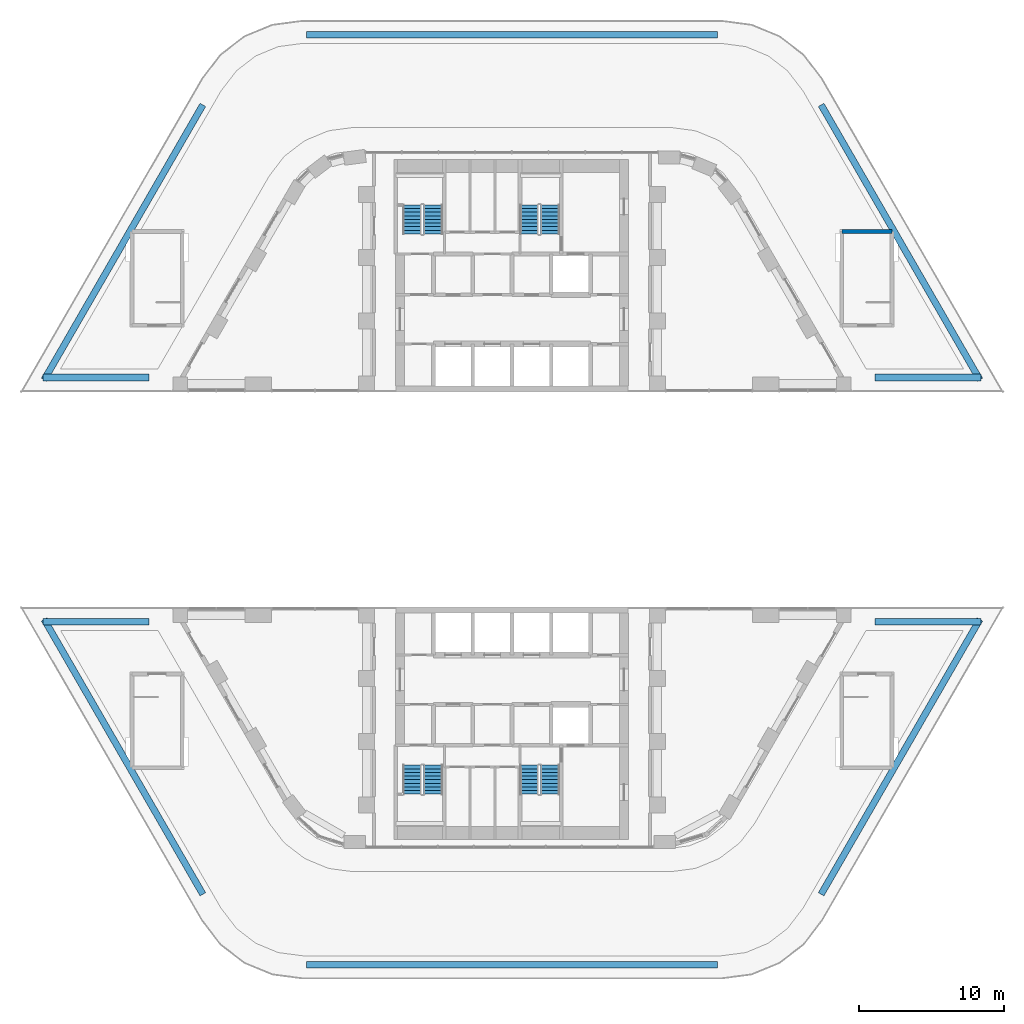
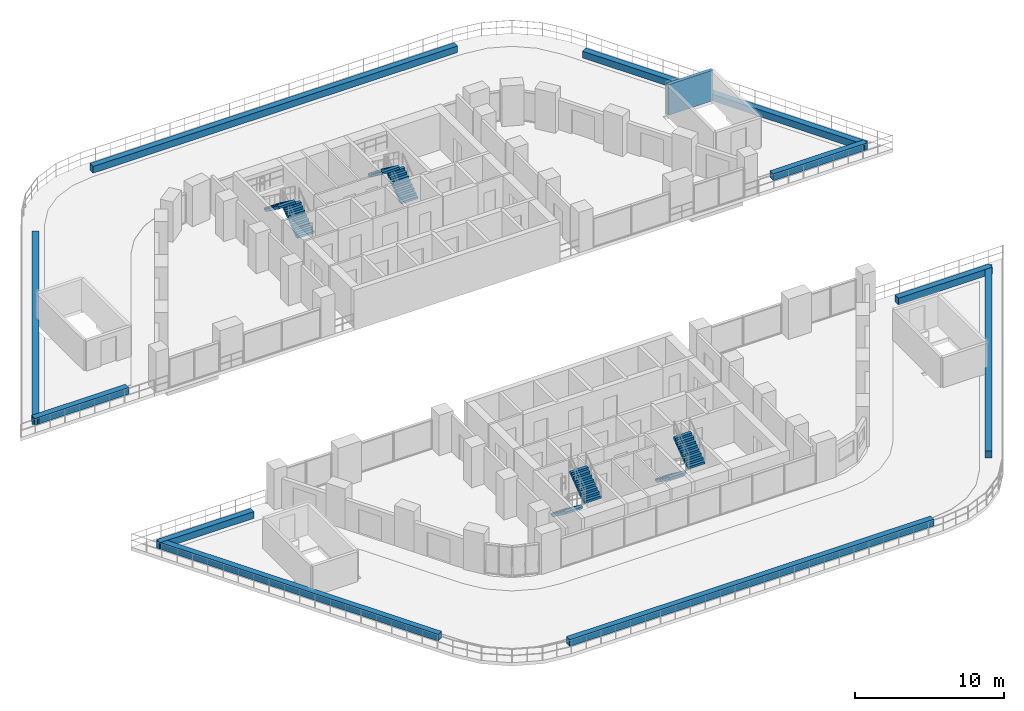
# One storey, part 15 of 24: 10 discrete accessories, 8 stair flights, 1 wall, 4 elements without a shape of their own.
"""IFC4 building model written with IfcOpenShell, lengths in metres."""

from ifc_helpers import new_model, si_unit, direction, frame, frame_2d, origin, origin_2d, place, context, subcontext, project, spatial, polyline, rectangle, outline, extrude, material, layer, layer_set, type_object, element, aggregate, save


model = new_model("IFC4")

# Units and contexts
model_context = context("Model", 3, precision=1e-05, world=origin(), true_north=direction((0.0, 1.0)))
body_context = subcontext(model_context, "Body", "Model", "MODEL_VIEW")
ifc_project = project(units=[si_unit("LENGTHUNIT", "METRE"), si_unit("AREAUNIT", "SQUARE_METRE"), si_unit("VOLUMEUNIT", "CUBIC_METRE"), si_unit("PLANEANGLEUNIT", "RADIAN"), si_unit("MASSUNIT", "GRAM", prefix="KILO")], contexts=[model_context])

# Site, building, storey
site_placement = place(None, origin())
site = spatial("IfcSite", under=ifc_project, at=site_placement, CompositionType="ELEMENT")
building_placement = place(site_placement, origin())
building = spatial("IfcBuilding", under=site, at=building_placement, Name="Nakaniwa Court", CompositionType="ELEMENT")
storey_placement = place(building_placement, frame((0.0, 0.0, 28.199951171875)))
storey = spatial("IfcBuildingStorey", under=building, at=storey_placement, Name="L06", CompositionType="ELEMENT", Elevation=28.199951171875)

# Wall
ifc_material_1 = material(Name="Concrete C100/115", Category="concrete")
ifc_layer = layer(ifc_material_1, 0.25)
ifc_layer_set = layer_set([ifc_layer], Name="Concrete C100/115")
wall_type = type_object("IfcWallType", Name="Concrete shaft wall 250 C100 external", PredefinedType="SHEAR", material=ifc_layer_set)
wall_placement = place(storey_placement, frame((106.14990234375, 98.449951171875, 0.0), z_axis=(0.0, 0.0, 1.0), x_axis=(-1.0, 0.0, 0.0)))
element("IfcWall", 1, at=wall_placement, inside=storey, type_object=wall_type, Name="Stair head house wall SW-90", PredefinedType="SHEAR", context=body_context, shape_type="SweptSolid", body=[
    extrude(rectangle(XDim=3.449951171875, YDim=0.25, at=frame_2d((1.72509765625, 0.0))), origin(), (0.0, 0.0, 1.0), 2.5),
])

# Stair, stair flights
ifc_material_2 = material(Name="Concrete C80/100", Category="concrete")
stair_type = type_object("IfcStairType", Name="Dog leg stair 1300 wide 18 risers", PredefinedType="HALF_TURN_STAIR", material=ifc_material_2)
stair_1_placement = place(storey_placement, origin())
stair_1 = element("IfcStair", 2, at=stair_1_placement, inside=storey, type_object=stair_type, Name="L06 Stair ST1", PredefinedType="HALF_TURN_STAIR")
stair_flight_type = type_object("IfcStairFlightType", Name="Stair flight 1300 wide 9 risers", PredefinedType="STRAIGHT", material=ifc_material_2)
stair_flight_1_placement = place(storey_placement, frame((74.574951171875, 98.27490234375, 0.0), z_axis=(0.0, 0.0, 1.0), x_axis=(0.0, 1.0, 0.0)))
stair_flight_1 = element("IfcStairFlight", 3, at=stair_flight_1_placement, type_object=stair_flight_type, Name="ST1 flight 1", NumberOfRisers=9, NumberOfTreads=8, PredefinedType="STRAIGHT", RiserHeight=0.183333333, TreadLength=0.25, context=body_context, shape_type="SweptSolid", body=[
    extrude(outline(polyline([(0.0, 0.0), (0.0, 0.026123046875), (0.0, 0.052490234375), (0.0, 0.07861328125), (0.0, 0.104736328125), (0.0, 0.130859375), (0.0, 0.1572265625), (0.0, 0.183349609375), (0.25, 0.183349609375), (0.25, 0.36669921875), (0.5, 0.36669921875), (0.5, 0.550048828125), (0.75, 0.550048828125), (0.75, 0.7333984375), (1.0, 0.7333984375), (1.0, 0.916748046875), (1.25, 0.916748046875), (1.25, 1.10009765625), (1.5, 1.10009765625), (1.5, 1.283447265625), (1.75, 1.283447265625), (1.75, 1.466552734375), (2.0, 1.466552734375), (2.0, 1.64990234375), (2.0, 1.59716796875), (2.0, 1.54443359375), (2.0, 1.49169921875), (2.0, 1.43896484375), (2.0, 1.38623046875), (2.0, 1.33349609375), (2.0, 1.28076171875), (0.25341796875, 0.0), (0.0, 0.0)])), frame((0.0, 0.64990234375, 0.0), z_axis=(0.0, -1.0, 0.0), x_axis=(1.0, 0.0, 0.0)), (0.0, 0.0, 1.0), 1.300048828125),
])
stair_flight_2_placement = place(storey_placement, frame((73.125, 100.27490234375, 1.650146484375), z_axis=(0.0, 0.0, 1.0), x_axis=(0.0, -1.0, 0.0)))
stair_flight_2 = element("IfcStairFlight", 4, at=stair_flight_2_placement, type_object=stair_flight_type, Name="ST1 flight 2", NumberOfRisers=9, NumberOfTreads=8, PredefinedType="STRAIGHT", RiserHeight=0.183333333, TreadLength=0.25, context=body_context, shape_type="SweptSolid", body=[
    extrude(outline(polyline([(0.0, 0.0), (0.0, 0.026123046875), (0.0, 0.052490234375), (0.0, 0.07861328125), (0.0, 0.104736328125), (0.0, 0.130859375), (0.0, 0.1572265625), (0.0, 0.183349609375), (0.25, 0.183349609375), (0.25, 0.36669921875), (0.5, 0.36669921875), (0.5, 0.550048828125), (0.75, 0.550048828125), (0.75, 0.7333984375), (1.0, 0.7333984375), (1.0, 0.916748046875), (1.25, 0.916748046875), (1.25, 1.10009765625), (1.5, 1.10009765625), (1.5, 1.283447265625), (1.75, 1.283447265625), (1.75, 1.466552734375), (2.0, 1.466552734375), (2.0, 1.64990234375), (2.0, 1.59716796875), (2.0, 1.54443359375), (2.0, 1.49169921875), (2.0, 1.43896484375), (2.0, 1.38623046875), (2.0, 1.33349609375), (2.0, 1.28076171875), (0.25341796875, 0.0), (0.0, 0.0)])), frame((0.0, 0.64990234375, 0.0), z_axis=(0.0, -1.0, 0.0), x_axis=(1.0, 0.0, 0.0)), (0.0, 0.0, 1.0), 1.300048828125),
])
aggregate(stair_1, [stair_flight_1, stair_flight_2])

stair_2_placement = place(storey_placement, origin())
stair_2 = element("IfcStair", 5, at=stair_2_placement, inside=storey, type_object=stair_type, Name="L06 Stair ST2", PredefinedType="HALF_TURN_STAIR")
stair_flight_3_placement = place(storey_placement, frame((82.625, 98.27490234375, 0.0), z_axis=(0.0, 0.0, 1.0), x_axis=(0.0, 1.0, 0.0)))
stair_flight_3 = element("IfcStairFlight", 6, at=stair_flight_3_placement, type_object=stair_flight_type, Name="ST2 flight 1", NumberOfRisers=9, NumberOfTreads=8, PredefinedType="STRAIGHT", RiserHeight=0.183333333, TreadLength=0.25, context=body_context, shape_type="SweptSolid", body=[
    extrude(outline(polyline([(0.0, 0.0), (0.0, 0.026123046875), (0.0, 0.052490234375), (0.0, 0.07861328125), (0.0, 0.104736328125), (0.0, 0.130859375), (0.0, 0.1572265625), (0.0, 0.183349609375), (0.25, 0.183349609375), (0.25, 0.36669921875), (0.5, 0.36669921875), (0.5, 0.550048828125), (0.75, 0.550048828125), (0.75, 0.7333984375), (1.0, 0.7333984375), (1.0, 0.916748046875), (1.25, 0.916748046875), (1.25, 1.10009765625), (1.5, 1.10009765625), (1.5, 1.283447265625), (1.75, 1.283447265625), (1.75, 1.466552734375), (2.0, 1.466552734375), (2.0, 1.64990234375), (2.0, 1.59716796875), (2.0, 1.54443359375), (2.0, 1.49169921875), (2.0, 1.43896484375), (2.0, 1.38623046875), (2.0, 1.33349609375), (2.0, 1.28076171875), (0.25341796875, 0.0), (0.0, 0.0)])), frame((0.0, 0.64990234375, 0.0), z_axis=(0.0, -1.0, 0.0), x_axis=(1.0, 0.0, 0.0)), (0.0, 0.0, 1.0), 1.300048828125),
])
stair_flight_4_placement = place(storey_placement, frame((81.175048828125, 100.27490234375, 1.650146484375), z_axis=(0.0, 0.0, 1.0), x_axis=(0.0, -1.0, 0.0)))
stair_flight_4 = element("IfcStairFlight", 7, at=stair_flight_4_placement, type_object=stair_flight_type, Name="ST2 flight 2", NumberOfRisers=9, NumberOfTreads=8, PredefinedType="STRAIGHT", RiserHeight=0.183333333, TreadLength=0.25, context=body_context, shape_type="SweptSolid", body=[
    extrude(outline(polyline([(0.0, 0.0), (0.0, 0.026123046875), (0.0, 0.052490234375), (0.0, 0.07861328125), (0.0, 0.104736328125), (0.0, 0.130859375), (0.0, 0.1572265625), (0.0, 0.183349609375), (0.25, 0.183349609375), (0.25, 0.36669921875), (0.5, 0.36669921875), (0.5, 0.550048828125), (0.75, 0.550048828125), (0.75, 0.7333984375), (1.0, 0.7333984375), (1.0, 0.916748046875), (1.25, 0.916748046875), (1.25, 1.10009765625), (1.5, 1.10009765625), (1.5, 1.283447265625), (1.75, 1.283447265625), (1.75, 1.466552734375), (2.0, 1.466552734375), (2.0, 1.64990234375), (2.0, 1.59716796875), (2.0, 1.54443359375), (2.0, 1.49169921875), (2.0, 1.43896484375), (2.0, 1.38623046875), (2.0, 1.33349609375), (2.0, 1.28076171875), (0.25341796875, 0.0), (0.0, 0.0)])), frame((0.0, 0.64990234375, 0.0), z_axis=(0.0, -1.0, 0.0), x_axis=(1.0, 0.0, 0.0)), (0.0, 0.0, 1.0), 1.300048828125),
])
aggregate(stair_2, [stair_flight_3, stair_flight_4])

stair_3_placement = place(storey_placement, origin())
stair_3 = element("IfcStair", 8, at=stair_3_placement, inside=storey, type_object=stair_type, Name="L06 Stair ST3", PredefinedType="HALF_TURN_STAIR")
stair_flight_5_placement = place(storey_placement, frame((73.125, 61.72509765625, 0.0), z_axis=(0.0, 0.0, 1.0), x_axis=(0.0, -1.0, 0.0)))
stair_flight_5 = element("IfcStairFlight", 9, at=stair_flight_5_placement, type_object=stair_flight_type, Name="ST3 flight 1", NumberOfRisers=9, NumberOfTreads=8, PredefinedType="STRAIGHT", RiserHeight=0.183333333, TreadLength=0.25, context=body_context, shape_type="SweptSolid", body=[
    extrude(outline(polyline([(0.0, 0.0), (0.0, 0.026123046875), (0.0, 0.052490234375), (0.0, 0.07861328125), (0.0, 0.104736328125), (0.0, 0.130859375), (0.0, 0.1572265625), (0.0, 0.183349609375), (0.25, 0.183349609375), (0.25, 0.36669921875), (0.5, 0.36669921875), (0.5, 0.550048828125), (0.75, 0.550048828125), (0.75, 0.7333984375), (1.0, 0.7333984375), (1.0, 0.916748046875), (1.25, 0.916748046875), (1.25, 1.10009765625), (1.5, 1.10009765625), (1.5, 1.283447265625), (1.75, 1.283447265625), (1.75, 1.466552734375), (2.0, 1.466552734375), (2.0, 1.64990234375), (2.0, 1.59716796875), (2.0, 1.54443359375), (2.0, 1.49169921875), (2.0, 1.43896484375), (2.0, 1.38623046875), (2.0, 1.33349609375), (2.0, 1.28076171875), (0.25341796875, 0.0), (0.0, 0.0)])), frame((0.0, 0.64990234375, 0.0), z_axis=(0.0, -1.0, 0.0), x_axis=(1.0, 0.0, 0.0)), (0.0, 0.0, 1.0), 1.300048828125),
])
stair_flight_6_placement = place(storey_placement, frame((74.574951171875, 59.72509765625, 1.650146484375), z_axis=(0.0, 0.0, 1.0), x_axis=(0.0, 1.0, 0.0)))
stair_flight_6 = element("IfcStairFlight", 10, at=stair_flight_6_placement, type_object=stair_flight_type, Name="ST3 flight 2", NumberOfRisers=9, NumberOfTreads=8, PredefinedType="STRAIGHT", RiserHeight=0.183333333, TreadLength=0.25, context=body_context, shape_type="SweptSolid", body=[
    extrude(outline(polyline([(0.0, 0.0), (0.0, 0.026123046875), (0.0, 0.052490234375), (0.0, 0.07861328125), (0.0, 0.104736328125), (0.0, 0.130859375), (0.0, 0.1572265625), (0.0, 0.183349609375), (0.25, 0.183349609375), (0.25, 0.36669921875), (0.5, 0.36669921875), (0.5, 0.550048828125), (0.75, 0.550048828125), (0.75, 0.7333984375), (1.0, 0.7333984375), (1.0, 0.916748046875), (1.25, 0.916748046875), (1.25, 1.10009765625), (1.5, 1.10009765625), (1.5, 1.283447265625), (1.75, 1.283447265625), (1.75, 1.466552734375), (2.0, 1.466552734375), (2.0, 1.64990234375), (2.0, 1.59716796875), (2.0, 1.54443359375), (2.0, 1.49169921875), (2.0, 1.43896484375), (2.0, 1.38623046875), (2.0, 1.33349609375), (2.0, 1.28076171875), (0.25341796875, 0.0), (0.0, 0.0)])), frame((0.0, 0.64990234375, 0.0), z_axis=(0.0, -1.0, 0.0), x_axis=(1.0, 0.0, 0.0)), (0.0, 0.0, 1.0), 1.300048828125),
])
aggregate(stair_3, [stair_flight_5, stair_flight_6])

stair_4_placement = place(storey_placement, origin())
stair_4 = element("IfcStair", 11, at=stair_4_placement, inside=storey, type_object=stair_type, Name="L06 Stair ST4", PredefinedType="HALF_TURN_STAIR")
stair_flight_7_placement = place(storey_placement, frame((81.175048828125, 61.72509765625, 0.0), z_axis=(0.0, 0.0, 1.0), x_axis=(0.0, -1.0, 0.0)))
stair_flight_7 = element("IfcStairFlight", 12, at=stair_flight_7_placement, type_object=stair_flight_type, Name="ST4 flight 1", NumberOfRisers=9, NumberOfTreads=8, PredefinedType="STRAIGHT", RiserHeight=0.183333333, TreadLength=0.25, context=body_context, shape_type="SweptSolid", body=[
    extrude(outline(polyline([(0.0, 0.0), (0.0, 0.026123046875), (0.0, 0.052490234375), (0.0, 0.07861328125), (0.0, 0.104736328125), (0.0, 0.130859375), (0.0, 0.1572265625), (0.0, 0.183349609375), (0.25, 0.183349609375), (0.25, 0.36669921875), (0.5, 0.36669921875), (0.5, 0.550048828125), (0.75, 0.550048828125), (0.75, 0.7333984375), (1.0, 0.7333984375), (1.0, 0.916748046875), (1.25, 0.916748046875), (1.25, 1.10009765625), (1.5, 1.10009765625), (1.5, 1.283447265625), (1.75, 1.283447265625), (1.75, 1.466552734375), (2.0, 1.466552734375), (2.0, 1.64990234375), (2.0, 1.59716796875), (2.0, 1.54443359375), (2.0, 1.49169921875), (2.0, 1.43896484375), (2.0, 1.38623046875), (2.0, 1.33349609375), (2.0, 1.28076171875), (0.25341796875, 0.0), (0.0, 0.0)])), frame((0.0, 0.64990234375, 0.0), z_axis=(0.0, -1.0, 0.0), x_axis=(1.0, 0.0, 0.0)), (0.0, 0.0, 1.0), 1.300048828125),
])
stair_flight_8_placement = place(storey_placement, frame((82.625, 59.72509765625, 1.650146484375), z_axis=(0.0, 0.0, 1.0), x_axis=(0.0, 1.0, 0.0)))
stair_flight_8 = element("IfcStairFlight", 13, at=stair_flight_8_placement, type_object=stair_flight_type, Name="ST4 flight 2", NumberOfRisers=9, NumberOfTreads=8, PredefinedType="STRAIGHT", RiserHeight=0.183333333, TreadLength=0.25, context=body_context, shape_type="SweptSolid", body=[
    extrude(outline(polyline([(0.0, 0.0), (0.0, 0.026123046875), (0.0, 0.052490234375), (0.0, 0.07861328125), (0.0, 0.104736328125), (0.0, 0.130859375), (0.0, 0.1572265625), (0.0, 0.183349609375), (0.25, 0.183349609375), (0.25, 0.36669921875), (0.5, 0.36669921875), (0.5, 0.550048828125), (0.75, 0.550048828125), (0.75, 0.7333984375), (1.0, 0.7333984375), (1.0, 0.916748046875), (1.25, 0.916748046875), (1.25, 1.10009765625), (1.5, 1.10009765625), (1.5, 1.283447265625), (1.75, 1.283447265625), (1.75, 1.466552734375), (2.0, 1.466552734375), (2.0, 1.64990234375), (2.0, 1.59716796875), (2.0, 1.54443359375), (2.0, 1.49169921875), (2.0, 1.43896484375), (2.0, 1.38623046875), (2.0, 1.33349609375), (2.0, 1.28076171875), (0.25341796875, 0.0), (0.0, 0.0)])), frame((0.0, 0.64990234375, 0.0), z_axis=(0.0, -1.0, 0.0), x_axis=(1.0, 0.0, 0.0)), (0.0, 0.0, 1.0), 1.300048828125),
])
aggregate(stair_4, [stair_flight_7, stair_flight_8])

# Discrete accessories
ifc_material_3 = material(Name="Precast concrete C40/50 planter with planted soil", Category="concrete")
discrete_accessory_type = type_object("IfcDiscreteAccessoryType", Name="Planter box charcoal concrete", PredefinedType="USERDEFINED", material=ifc_material_3)
discrete_accessory_1_placement = place(storey_placement, frame((106.7314453125, 62.300048828125, 0.0), z_axis=(0.0, 0.0, 1.0), x_axis=(0.4999984885, 0.866026276448, 0.0)))
element("IfcDiscreteAccessory", 14, at=discrete_accessory_1_placement, inside=storey, type_object=discrete_accessory_type, Name="L06 play deck 1 PLANTER 1", ObjectType="PLANTER", PredefinedType="USERDEFINED", context=body_context, shape_type="SweptSolid", body=[
    extrude(rectangle(XDim=21.841552734375, YDim=0.449951171875, at=origin_2d()), origin(), (0.0, 0.0, 1.0), 0.550048828125),
])
for number, where, z_axis, x_axis, name in (
    (15, (108.636474609375, 71.60009765625, 0.0), (0.0, 0.0, 1.0), (-1.0, 0.0, 0.0), "L06 play deck 1 PLANTER 2"),
    (16, (51.363525390625, 71.60009765625, 0.0), (0.0, 0.0, 1.0), (-1.0, 0.0, 0.0), "L06 play deck 1 PLANTER 3"),
):
    element("IfcDiscreteAccessory", number, at=place(storey_placement, frame(where, z_axis=z_axis, x_axis=x_axis)), inside=storey, type_object=discrete_accessory_type, Name=name, ObjectType="PLANTER", PredefinedType="USERDEFINED", context=body_context, shape_type="SweptSolid", body=[
        extrude(rectangle(XDim=7.292236328125, YDim=0.449951171875, at=origin_2d()), origin(), (0.0, 0.0, 1.0), 0.550048828125),
    ])
discrete_accessory_2_placement = place(storey_placement, frame((53.2685546875, 62.300048828125, 0.0), z_axis=(0.0, 0.0, 1.0), x_axis=(0.4999984885, -0.866026276448, 0.0)))
element("IfcDiscreteAccessory", 17, at=discrete_accessory_2_placement, inside=storey, type_object=discrete_accessory_type, Name="L06 play deck 1 PLANTER 4", ObjectType="PLANTER", PredefinedType="USERDEFINED", context=body_context, shape_type="SweptSolid", body=[
    extrude(rectangle(XDim=21.841552734375, YDim=0.449951171875, at=origin_2d()), origin(), (0.0, 0.0, 1.0), 0.550048828125),
])
discrete_accessory_3_placement = place(storey_placement, frame((80.0, 48.0, 0.0), z_axis=(0.0, 0.0, 1.0), x_axis=(1.0, 0.0, 0.0)))
element("IfcDiscreteAccessory", 18, at=discrete_accessory_3_placement, inside=storey, type_object=discrete_accessory_type, Name="L06 play deck 1 PLANTER 9", ObjectType="PLANTER", PredefinedType="USERDEFINED", context=body_context, shape_type="SweptSolid", body=[
    extrude(rectangle(XDim=28.267578125, YDim=0.449951171875, at=origin_2d()), origin(), (0.0, 0.0, 1.0), 0.550048828125),
])
discrete_accessory_4_placement = place(storey_placement, frame((53.2685546875, 97.699951171875, 0.0), z_axis=(0.0, 0.0, 1.0), x_axis=(-0.4999984885, -0.866026276448, 0.0)))
element("IfcDiscreteAccessory", 19, at=discrete_accessory_4_placement, inside=storey, type_object=discrete_accessory_type, Name="L06 play deck 2 PLANTER 1", ObjectType="PLANTER", PredefinedType="USERDEFINED", context=body_context, shape_type="SweptSolid", body=[
    extrude(rectangle(XDim=21.841552734375, YDim=0.449951171875, at=origin_2d()), origin(), (0.0, 0.0, 1.0), 0.550048828125),
])
for number, where, z_axis, x_axis, name in (
    (20, (51.363525390625, 88.39990234375, 0.0), (0.0, 0.0, 1.0), (1.0, 0.0, 0.0), "L06 play deck 2 PLANTER 2"),
    (21, (108.636474609375, 88.39990234375, 0.0), (0.0, 0.0, 1.0), (1.0, 0.0, 0.0), "L06 play deck 2 PLANTER 3"),
):
    element("IfcDiscreteAccessory", number, at=place(storey_placement, frame(where, z_axis=z_axis, x_axis=x_axis)), inside=storey, type_object=discrete_accessory_type, Name=name, ObjectType="PLANTER", PredefinedType="USERDEFINED", context=body_context, shape_type="SweptSolid", body=[
        extrude(rectangle(XDim=7.292236328125, YDim=0.449951171875, at=origin_2d()), origin(), (0.0, 0.0, 1.0), 0.550048828125),
    ])
discrete_accessory_5_placement = place(storey_placement, frame((106.7314453125, 97.699951171875, 0.0), z_axis=(0.0, 0.0, 1.0), x_axis=(-0.4999984885, 0.866026276448, 0.0)))
element("IfcDiscreteAccessory", 22, at=discrete_accessory_5_placement, inside=storey, type_object=discrete_accessory_type, Name="L06 play deck 2 PLANTER 4", ObjectType="PLANTER", PredefinedType="USERDEFINED", context=body_context, shape_type="SweptSolid", body=[
    extrude(rectangle(XDim=21.841552734375, YDim=0.449951171875, at=origin_2d()), origin(), (0.0, 0.0, 1.0), 0.550048828125),
])
discrete_accessory_6_placement = place(storey_placement, frame((80.0, 112.0, 0.0), z_axis=(0.0, 0.0, 1.0), x_axis=(-1.0, 0.0, 0.0)))
element("IfcDiscreteAccessory", 23, at=discrete_accessory_6_placement, inside=storey, type_object=discrete_accessory_type, Name="L06 play deck 2 PLANTER 9", ObjectType="PLANTER", PredefinedType="USERDEFINED", context=body_context, shape_type="SweptSolid", body=[
    extrude(rectangle(XDim=28.267578125, YDim=0.449951171875, at=origin_2d()), origin(), (0.0, 0.0, 1.0), 0.550048828125),
])

save(model, "model.ifc")
